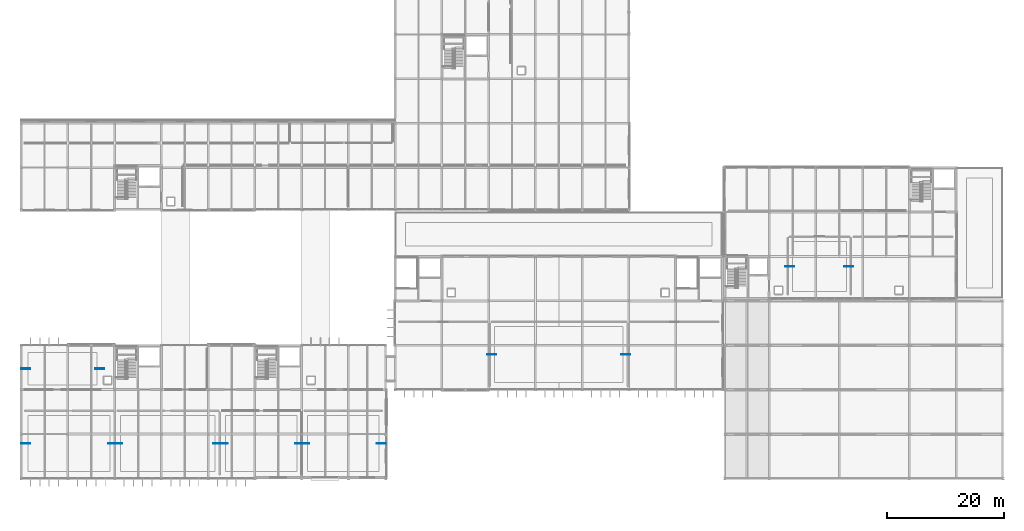
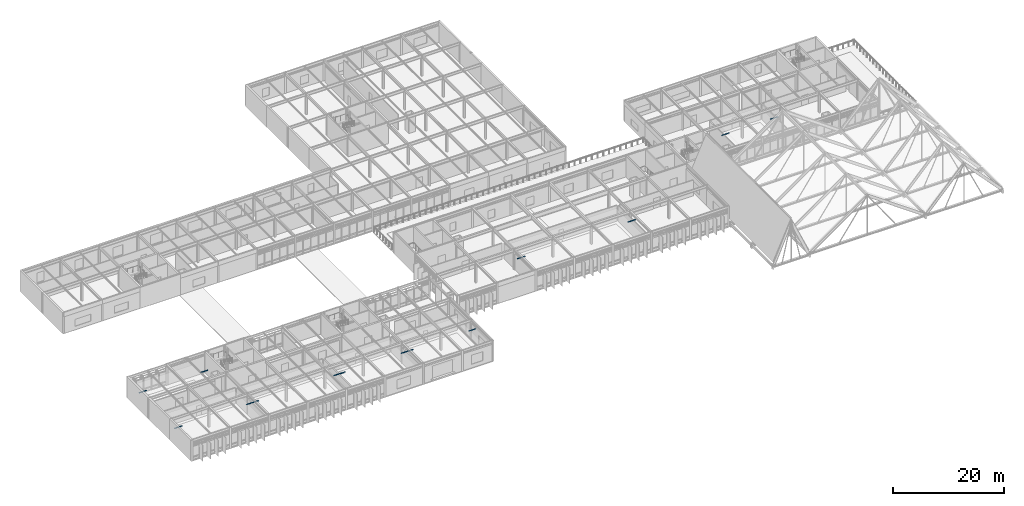
# One storey, part 90 of 100: 14 discrete accessories.
"""IFC4 building model written with IfcOpenShell, lengths in metres."""

import ifcopenshell
import ifcopenshell.guid

model = None  # the IFC model being written
_history = None  # IfcOwnerHistory: only IFC2X3 demands one
_inside = {}  # id of a spatial element -> (the spatial element, [elements in it])
_under = {}  # id of a project, library or spatial element -> (it, [spatial elements below it])
_declared = {}  # id of a project -> (the project, [libraries it declares])
_typed = {}  # id of a type object -> (the type object, [elements of that type])
_made_of = {}  # id of a material, layer set ... -> (it, [elements and type objects made of it])


def new_model(schema):
    """Start an empty IFC model of exactly this schema.

    Asked for "IFC4X3", IfcOpenShell would pick the latest addendum, in which some entities
    have other attributes; the version numbers below select the first issue.
    IFC2X3 requires an IfcOwnerHistory on every rooted entity: one is made here for all.
    """
    global model, _history
    if schema == "IFC4X3":
        model = ifcopenshell.file(schema_version=(4, 3, 0, 0))
    else:
        model = ifcopenshell.file(schema=schema)
    _inside.clear()
    _under.clear()
    _declared.clear()
    _typed.clear()
    _made_of.clear()
    _history = None
    if model.schema == "IFC2X3":
        org = make("IfcOrganization", Name="unknown")
        user = make(
            "IfcPersonAndOrganization",
            ThePerson=make("IfcPerson", FamilyName="unknown"),
            TheOrganization=org,
        )
        app = make(
            "IfcApplication",
            ApplicationDeveloper=org,
            Version="unknown",
            ApplicationFullName="unknown",
            ApplicationIdentifier="unknown",
        )
        _history = make(
            "IfcOwnerHistory",
            OwningUser=user,
            OwningApplication=app,
            ChangeAction="ADDED",
            CreationDate=0,
        )
    return model


def make(cls, **values):
    """One entity of the class cls with the attributes given. An attribute that is None is left unset."""
    return model.create_entity(
        cls, **{name: value for name, value in values.items() if value is not None}
    )


def rooted(cls, **values):
    """An entity with a GlobalId (a new one), such as an element, a storey or a relation."""
    return make(cls, GlobalId=ifcopenshell.guid.new(), OwnerHistory=_history, **values)


def si_unit(unit_type, name, prefix=None):
    """IfcSIUnit, for example si_unit("LENGTHUNIT", "METRE", prefix="MILLI")."""
    return make("IfcSIUnit", UnitType=unit_type, Prefix=prefix, Name=name)


def assignment(units):
    """IfcUnitAssignment: the units of a project."""
    return None if units is None else make("IfcUnitAssignment", Units=units)


def point(xyz):
    """IfcCartesianPoint."""
    return None if xyz is None else make("IfcCartesianPoint", Coordinates=xyz)


def direction(xyz):
    """IfcDirection."""
    return None if xyz is None else make("IfcDirection", DirectionRatios=xyz)


def frame(location, z_axis=None, x_axis=None):
    """IfcAxis2Placement3D, a coordinate frame: its origin and axes. An axis left out is left unset."""
    return make(
        "IfcAxis2Placement3D",
        Location=point(location),
        Axis=direction(z_axis),
        RefDirection=direction(x_axis),
    )


def frame_2d(location, x_axis=None):
    """IfcAxis2Placement2D, a coordinate frame in the plane: its origin and x axis."""
    return make(
        "IfcAxis2Placement2D", Location=point(location), RefDirection=direction(x_axis)
    )


def origin():
    """The frame at (0, 0, 0) with its axes left unset."""
    return frame((0.0, 0.0, 0.0))


def origin_2d():
    """The frame at (0, 0) in the plane with its x axis left unset."""
    return frame_2d((0.0, 0.0))


def place(relative_to, where):
    """IfcLocalPlacement: puts the frame where relative to a parent placement (None: the world)."""
    return make(
        "IfcLocalPlacement", PlacementRelTo=relative_to, RelativePlacement=where
    )


def context(
    kind, dimensions, precision=None, world=None, true_north=None, identifier=None
):
    """IfcGeometricRepresentationContext, for example the 3D "Model" context."""
    return make(
        "IfcGeometricRepresentationContext",
        ContextIdentifier=identifier,
        ContextType=kind,
        CoordinateSpaceDimension=dimensions,
        Precision=precision,
        WorldCoordinateSystem=world,
        TrueNorth=true_north,
    )


def subcontext(parent, identifier, kind, view, scale=None):
    """IfcGeometricRepresentationSubContext, for example "Body" below "Model"."""
    return make(
        "IfcGeometricRepresentationSubContext",
        ContextIdentifier=identifier,
        ContextType=kind,
        ParentContext=parent,
        TargetScale=scale,
        TargetView=view,
    )


def project(units=None, contexts=None):
    """IfcProject with its units and contexts."""
    return rooted(
        "IfcProject",
        Name="project",
        RepresentationContexts=contexts,
        UnitsInContext=assignment(units),
    )


def spatial(cls, under=None, at=None, **own):
    """A site, building, storey or space (cls), placed at a placement, below another one or the project."""
    s = rooted(cls, ObjectPlacement=at, **own)
    if under is not None:
        _under.setdefault(under.id(), (under, []))[1].append(s)
    return s


def profile(cls, at=None, kind="AREA", **sizes):
    """A parametric profile (cls). Its sizes go by their IFC names, for example OverallWidth=200.0."""
    return make(cls, ProfileType=kind, Position=at, **sizes)


def rectangle(**sizes):
    """IfcRectangleProfileDef."""
    return profile("IfcRectangleProfileDef", **sizes)


def extrude(swept, where, along, depth):
    """IfcExtrudedAreaSolid: the profile swept, set in the frame where, extruded along a direction by depth."""
    return make(
        "IfcExtrudedAreaSolid",
        SweptArea=swept,
        Position=where,
        ExtrudedDirection=direction(along),
        Depth=depth,
    )


def shape(context_of_items, identifier, shape_type, items):
    """IfcShapeRepresentation: the items that make up one representation, for example the "Body"."""
    return make(
        "IfcShapeRepresentation",
        ContextOfItems=context_of_items,
        RepresentationIdentifier=identifier,
        RepresentationType=shape_type,
        Items=items,
    )


def material(Name=None, Category=None):
    """IfcMaterial."""
    return make("IfcMaterial", Name=Name, Category=Category)


def layer(
    of_material, thickness, ventilated=None, Name=None, Category=None, Priority=None
):
    """IfcMaterialLayer: one layer of a wall or slab, of a material (None: an air gap)."""
    return make(
        "IfcMaterialLayer",
        Material=of_material,
        LayerThickness=thickness,
        IsVentilated=ventilated,
        Name=Name,
        Category=Category,
        Priority=Priority,
    )


def layer_set(layers, Name=None):
    """IfcMaterialLayerSet."""
    return make("IfcMaterialLayerSet", MaterialLayers=layers, LayerSetName=Name)


def made_of(thing, what):
    """Note that an element or type object is made of a material, layer set ...; save() writes the relation."""
    if what is not None:
        _made_of.setdefault(what.id(), (what, []))[1].append(thing)
    return thing


def type_object(cls, material=None, **own):
    """A type object (cls), such as IfcWallType, which elements share."""
    return made_of(rooted(cls, **own), material)


def element(
    cls,
    number,
    at=None,
    inside=None,
    cuts=None,
    type_object=None,
    material=None,
    context=None,
    identifier="Body",
    shape_type=None,
    held_by="IfcProductDefinitionShape",
    body=None,
    shapes=None,
    **own,
):
    """One element of the class cls, such as IfcWall. Its Tag is "e" and its number.

    at: its placement. inside: the storey or other place that contains it. cuts: it is an
    opening in that element (IfcRelVoidsElement). A single representation is given by context,
    identifier, shape_type and body (its items); several are given by shapes. held_by: the class
    of the entity that holds the representations. save() writes the other relations.
    """
    e = rooted(cls, Tag="e%d" % number, ObjectPlacement=at, **own)
    if body is not None:
        shapes = [shape(context, identifier, shape_type, body)]
    if shapes is not None:
        e.Representation = make(held_by, Representations=shapes)
    if inside is not None:
        _inside.setdefault(inside.id(), (inside, []))[1].append(e)
    if cuts is not None:
        rooted(
            "IfcRelVoidsElement", RelatingBuildingElement=cuts, RelatedOpeningElement=e
        )
    if type_object is not None:
        _typed.setdefault(type_object.id(), (type_object, []))[1].append(e)
    return made_of(e, material)


def aggregate(whole, parts):
    """IfcRelAggregates: a whole, such as a stair, and the parts it consists of."""
    return rooted("IfcRelAggregates", RelatingObject=whole, RelatedObjects=parts)


def save(model, path):
    """Write the relations noted so far, then the file.

    IfcRelAggregates (storeys below a building ...), IfcRelContainedInSpatialStructure (elements
    in a storey), IfcRelDefinesByType, IfcRelAssociatesMaterial and IfcRelDeclares: one each for
    every whole, place, type object, material and project.
    """
    for whole, parts in _under.values():
        aggregate(whole, parts)
    for where, things in _inside.values():
        rooted(
            "IfcRelContainedInSpatialStructure",
            RelatedElements=things,
            RelatingStructure=where,
        )
    for kind, things in _typed.values():
        rooted("IfcRelDefinesByType", RelatedObjects=things, RelatingType=kind)
    for what, things in _made_of.values():
        rooted("IfcRelAssociatesMaterial", RelatedObjects=things, RelatingMaterial=what)
    for by, libraries in _declared.values():
        rooted("IfcRelDeclares", RelatingContext=by, RelatedDefinitions=libraries)
    model.write(path)


model = new_model("IFC4")

# Units and contexts
model_context = context("Model", 3, precision=1e-05, world=origin(), true_north=direction((0.0, 1.0)))
body_context = subcontext(model_context, "Body", "Model", "MODEL_VIEW")
ifc_project = project(units=[si_unit("LENGTHUNIT", "METRE"), si_unit("AREAUNIT", "SQUARE_METRE"), si_unit("VOLUMEUNIT", "CUBIC_METRE"), si_unit("PLANEANGLEUNIT", "RADIAN"), si_unit("MASSUNIT", "GRAM", prefix="KILO")], contexts=[model_context])

# Site, building, storey
site_placement = place(None, origin())
site = spatial("IfcSite", under=ifc_project, at=site_placement, CompositionType="ELEMENT")
building_placement = place(site_placement, origin())
building = spatial("IfcBuilding", under=site, at=building_placement, Name="Zulena Civic Courthouse", CompositionType="ELEMENT")
storey_placement = place(building_placement, frame((0.0, 0.0, 20.39990234375)))
storey = spatial("IfcBuildingStorey", under=building, at=storey_placement, Name="L04", CompositionType="ELEMENT", Elevation=20.39990234375)

# Discrete accessories
ifc_material = material(Name="Gold anodised architectural aluminium AA6063-T6", Category="aluminium")
ifc_layer = layer(ifc_material, 0.1201171875)
ifc_layer_set = layer_set([ifc_layer], Name="Gold anodised architectural aluminium AA6063-T6")
discrete_accessory_type = type_object("IfcDiscreteAccessoryType", Name="FinOutriggerBracket", PredefinedType="BRACKET", material=ifc_layer_set)
for number, where, z_axis, x_axis, name in (
    (1, (84.550048828125, 21.199951171875, 3.39013671875), (0.0, 0.0, 1.0), (1.0, 0.0, 0.0), "hng:ceil:L04:255:0"),
    (2, (107.449951171875, 21.199951171875, 3.39013671875), (0.0, 0.0, 1.0), (1.0, 0.0, 0.0), "hng:ceil:L04:255:1"),
    (3, (135.550048828125, 36.300048828125, 3.39013671875), (0.0, 0.0, 1.0), (1.0, 0.0, 0.0), "hng:ceil:L04:279:0"),
    (4, (145.64990234375, 36.300048828125, 3.39013671875), (0.0, 0.0, 1.0), (1.0, 0.0, 0.0), "hng:ceil:L04:279:1"),
    (5, (4.75, 6.0, 3.39013671875), (0.0, 0.0, 1.0), (1.0, 0.0, 0.0), "hng:ceil:L04:323:0"),
    (6, (19.64990234375, 6.0, 3.39013671875), (0.0, 0.0, 1.0), (1.0, 0.0, 0.0), "hng:ceil:L04:323:1"),
    (7, (20.550048828125, 6.0, 3.39013671875), (0.0, 0.0, 1.0), (1.0, 0.0, 0.0), "hng:ceil:L04:324:0"),
    (8, (37.64990234375, 6.0, 3.39013671875), (0.0, 0.0, 1.0), (1.0, 0.0, 0.0), "hng:ceil:L04:324:1"),
    (9, (38.550048828125, 6.0, 3.39013671875), (0.0, 0.0, 1.0), (1.0, 0.0, 0.0), "hng:ceil:L04:325:0"),
    (10, (51.64990234375, 6.0, 3.39013671875), (0.0, 0.0, 1.0), (1.0, 0.0, 0.0), "hng:ceil:L04:325:1"),
    (11, (52.550048828125, 6.0, 3.39013671875), (0.0, 0.0, 1.0), (1.0, 0.0, 0.0), "hng:ceil:L04:326:0"),
    (12, (65.64990234375, 6.0, 3.39013671875), (0.0, 0.0, 1.0), (1.0, 0.0, 0.0), "hng:ceil:L04:326:1"),
    (13, (4.75, 18.800048828125, 3.39013671875), (0.0, 0.0, 1.0), (1.0, 0.0, 0.0), "hng:ceil:L04:327:0"),
    (14, (17.449951171875, 18.800048828125, 3.39013671875), (0.0, 0.0, 1.0), (1.0, 0.0, 0.0), "hng:ceil:L04:327:1"),
):
    element("IfcDiscreteAccessory", number, at=place(storey_placement, frame(where, z_axis=z_axis, x_axis=x_axis)), inside=storey, type_object=discrete_accessory_type, Name=name, PredefinedType="BRACKET", context=body_context, shape_type="SweptSolid", body=[
        extrude(rectangle(XDim=1.550048828125, YDim=0.1201171875, at=origin_2d()), origin(), (0.0, 0.0, 1.0), 0.080078125),
    ])

save(model, "model.ifc")
